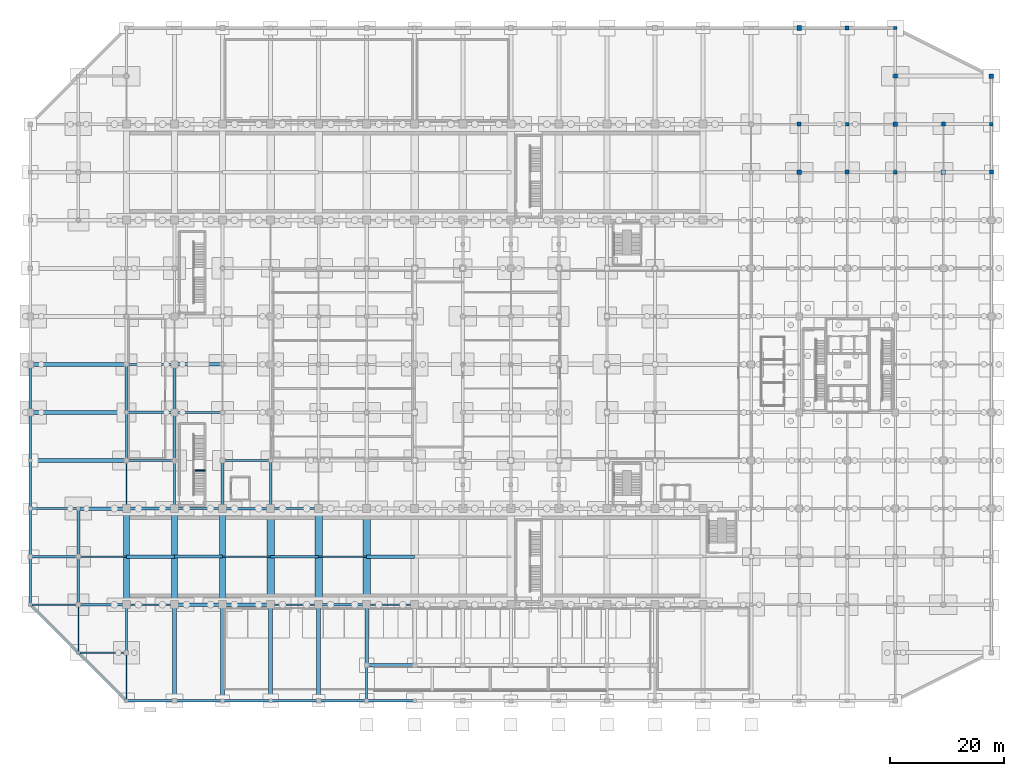
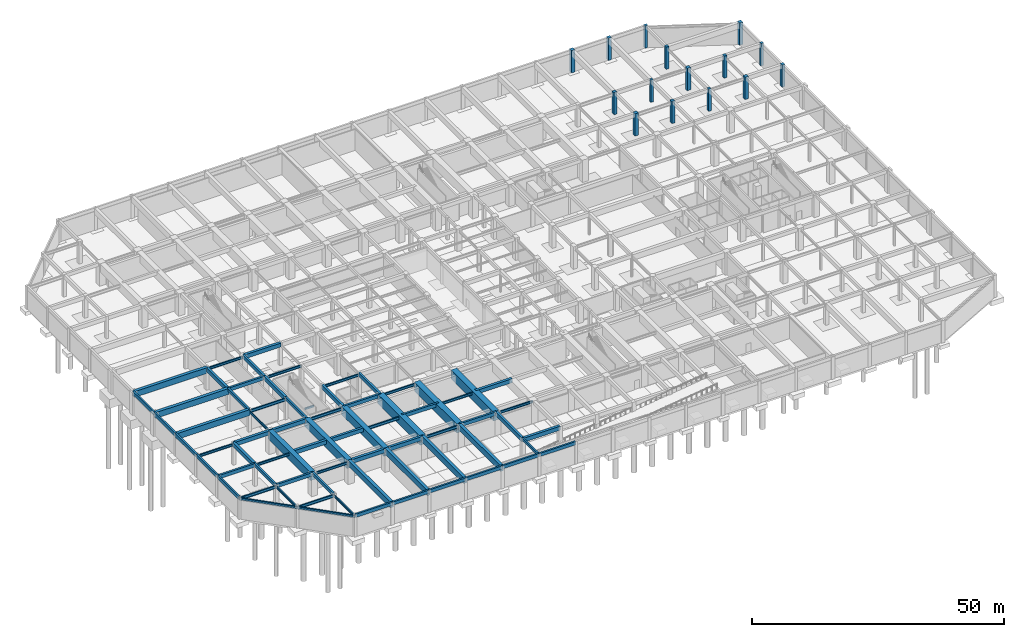
# One storey, part 10 of 26: 72 beams, 15 columns.
"""IFC4 building model written with IfcOpenShell, lengths in metres."""

from ifc_helpers import new_model, si_unit, direction, frame, origin, origin_2d, place, context, subcontext, project, spatial, rectangle, i_section, extrude, material, material_profile, profile_set, type_object, element, save


model = new_model("IFC4")

# Units and contexts
model_context = context("Model", 3, precision=1e-05, world=origin(), true_north=direction((0.0, 1.0)))
body_context = subcontext(model_context, "Body", "Model", "MODEL_VIEW")
ifc_project = project(units=[si_unit("LENGTHUNIT", "METRE"), si_unit("AREAUNIT", "SQUARE_METRE"), si_unit("VOLUMEUNIT", "CUBIC_METRE"), si_unit("PLANEANGLEUNIT", "RADIAN"), si_unit("MASSUNIT", "GRAM", prefix="KILO")], contexts=[model_context])

# Site, building, storey
site_placement = place(None, origin())
site = spatial("IfcSite", under=ifc_project, at=site_placement, CompositionType="ELEMENT")
building_placement = place(site_placement, origin())
building = spatial("IfcBuilding", under=site, at=building_placement, Name="Xuanlan Plaza Opera House", CompositionType="ELEMENT")
storey_placement = place(building_placement, frame((0.0, 0.0, -5.39990234375)))
storey = spatial("IfcBuildingStorey", under=building, at=storey_placement, Name="B01", CompositionType="ELEMENT", Elevation=-5.39990234375)

# Columns
ifc_material_1 = material(Name="Concrete C40", Category="concrete")
ifc_material_profile_1 = material_profile(ifc_material_1, rectangle(XDim=0.800048828125, YDim=0.800048828125, at=origin_2d()), Name="RC-COL 800x800")
ifc_profile_set_1 = profile_set([ifc_material_profile_1], Name="Concrete C40")
column_type_1 = type_object("IfcColumnType", Name="STR-COL-C-06", PredefinedType="COLUMN", material=ifc_profile_set_1)
for number, where, z_axis, x_axis, name in (
    (1, (134.39990234375, 92.39990234375, 0.0), (0.0, 0.0, 1.0), (1.0, 0.0, 0.0), "Column B01 17-L"),
    (2, (134.39990234375, 117.60009765625, 0.0), (0.0, 0.0, 1.0), (1.0, 0.0, 0.0), "Column B01 17-O"),
    (3, (151.199951171875, 100.800048828125, 0.0), (0.0, 0.0, 1.0), (1.0, 0.0, 0.0), "Column B01 19-M"),
    (4, (159.60009765625, 92.39990234375, 0.0), (0.0, 0.0, 1.0), (1.0, 0.0, 0.0), "Column B01 20-L"),
    (5, (168.0, 109.199951171875, 0.0), (0.0, 0.0, 1.0), (1.0, 0.0, 0.0), "Column B01 21-N"),
):
    element("IfcColumn", number, at=place(storey_placement, frame(where, z_axis=z_axis, x_axis=x_axis)), inside=storey, type_object=column_type_1, Name=name, PredefinedType="COLUMN", context=body_context, shape_type="SweptSolid", body=[
        extrude(rectangle(XDim=0.800048828125, YDim=0.800048828125, at=origin_2d()), origin(), (0.0, 0.0, 1.0), 5.39990234375),
    ])
ifc_material_profile_2 = material_profile(ifc_material_1, rectangle(XDim=0.699951171875, YDim=0.699951171875, at=origin_2d()), Name="RC-COL 700x700")
ifc_profile_set_2 = profile_set([ifc_material_profile_2], Name="Concrete C40")
column_type_2 = type_object("IfcColumnType", Name="STR-COL-C-07", PredefinedType="COLUMN", material=ifc_profile_set_2)
for number, where, z_axis, x_axis, name in (
    (6, (134.39990234375, 100.800048828125, 0.0), (0.0, 0.0, 1.0), (1.0, 0.0, 0.0), "Column B01 17-M"),
    (7, (142.800048828125, 92.39990234375, 0.0), (0.0, 0.0, 1.0), (1.0, 0.0, 0.0), "Column B01 18-L"),
    (8, (142.800048828125, 117.60009765625, 0.0), (0.0, 0.0, 1.0), (1.0, 0.0, 0.0), "Column B01 18-O"),
    (9, (151.199951171875, 109.199951171875, 0.0), (0.0, 0.0, 1.0), (1.0, 0.0, 0.0), "Column B01 19-N"),
    (10, (159.60009765625, 100.800048828125, 0.0), (0.0, 0.0, 1.0), (1.0, 0.0, 0.0), "Column B01 20-M"),
    (11, (168.0, 92.39990234375, 0.0), (0.0, 0.0, 1.0), (1.0, 0.0, 0.0), "Column B01 21-L"),
):
    element("IfcColumn", number, at=place(storey_placement, frame(where, z_axis=z_axis, x_axis=x_axis)), inside=storey, type_object=column_type_2, Name=name, PredefinedType="COLUMN", context=body_context, shape_type="SweptSolid", body=[
        extrude(rectangle(XDim=0.699951171875, YDim=0.699951171875, at=origin_2d()), origin(), (0.0, 0.0, 1.0), 5.39990234375),
    ])
ifc_material_profile_3 = material_profile(ifc_material_1, rectangle(XDim=0.60009765625, YDim=0.60009765625, at=origin_2d()), Name="RC-COL 600x600")
ifc_profile_set_3 = profile_set([ifc_material_profile_3], Name="Concrete C40")
column_type_3 = type_object("IfcColumnType", Name="STR-COL-C-08", PredefinedType="COLUMN", material=ifc_profile_set_3)
for number, where, z_axis, x_axis, name in (
    (12, (142.800048828125, 100.800048828125, 0.0), (0.0, 0.0, 1.0), (1.0, 0.0, 0.0), "Column B01 18-M"),
    (13, (151.199951171875, 92.39990234375, 0.0), (0.0, 0.0, 1.0), (1.0, 0.0, 0.0), "Column B01 19-L"),
    (14, (151.199951171875, 117.60009765625, 0.0), (0.0, 0.0, 1.0), (1.0, 0.0, 0.0), "Column B01 19-O"),
    (15, (168.0, 100.800048828125, 0.0), (0.0, 0.0, 1.0), (1.0, 0.0, 0.0), "Column B01 21-M"),
):
    element("IfcColumn", number, at=place(storey_placement, frame(where, z_axis=z_axis, x_axis=x_axis)), inside=storey, type_object=column_type_3, Name=name, PredefinedType="COLUMN", context=body_context, shape_type="SweptSolid", body=[
        extrude(rectangle(XDim=0.60009765625, YDim=0.60009765625, at=origin_2d()), origin(), (0.0, 0.0, 1.0), 5.39990234375),
    ])

# Beams
ifc_material_2 = material(Name="Concrete C50", Category="concrete")
ifc_material_profile_4 = material_profile(ifc_material_2, rectangle(XDim=0.60009765625, YDim=0.949951171875, at=origin_2d()), Name="RC-BM 600x950")
ifc_profile_set_4 = profile_set([ifc_material_profile_4], Name="Concrete C50")
beam_type_1 = type_object("IfcBeamType", Name="STR-BM-B-01", PredefinedType="BEAM", material=ifc_profile_set_4)
beam_1_placement = place(storey_placement, frame((25.199951171875, 16.800048828125, 4.9248046875), z_axis=(1.0, 0.0, 0.0), x_axis=(0.0, 1.0, 0.0)))
element("IfcBeam", 16, at=beam_1_placement, inside=storey, type_object=beam_type_1, Name="Grid Beam X B01 4-5/C", PredefinedType="BEAM", context=body_context, shape_type="SweptSolid", body=[
    extrude(rectangle(XDim=0.60009765625, YDim=0.949951171875, at=origin_2d()), origin(), (0.0, 0.0, 1.0), 8.400146484375),
])
for number, where, z_axis, x_axis, name in (
    (17, (16.800048828125, 25.199951171875, 4.9248046875), (1.0, 0.0, 0.0), (0.0, 1.0, 0.0), "Grid Beam X B01 3-4/D"),
    (18, (58.800048828125, 25.199951171875, 4.9248046875), (1.0, 0.0, 0.0), (0.0, 1.0, 0.0), "Grid Beam X B01 8-9/D"),
):
    element("IfcBeam", number, at=place(storey_placement, frame(where, z_axis=z_axis, x_axis=x_axis)), inside=storey, type_object=beam_type_1, Name=name, PredefinedType="BEAM", context=body_context, shape_type="SweptSolid", body=[
        extrude(rectangle(XDim=0.60009765625, YDim=0.949951171875, at=origin_2d()), origin(), (0.0, 0.0, 1.0), 8.39990234375),
    ])
for number, where, z_axis, x_axis, name in (
    (19, (8.39990234375, 33.60009765625, 4.9248046875), (1.0, 0.0, 0.0), (0.0, 1.0, 0.0), "Grid Beam X B01 2-3/E"),
    (20, (25.199951171875, 58.800048828125, 4.9248046875), (1.0, 0.0, 0.0), (0.0, 1.0, 0.0), "Grid Beam X B01 4-5/H"),
):
    element("IfcBeam", number, at=place(storey_placement, frame(where, z_axis=z_axis, x_axis=x_axis)), inside=storey, type_object=beam_type_1, Name=name, PredefinedType="BEAM", context=body_context, shape_type="SweptSolid", body=[
        extrude(rectangle(XDim=0.60009765625, YDim=0.949951171875, at=origin_2d()), origin(), (0.0, 0.0, 1.0), 8.400146484375),
    ])
beam_2_placement = place(storey_placement, frame((58.800048828125, 6.199951171875, 4.9248046875), z_axis=(1.0, 0.0, 0.0), x_axis=(0.0, 1.0, 0.0)))
element("IfcBeam", 21, at=beam_2_placement, inside=storey, type_object=beam_type_1, Name="Vehicle Ramp Edge Trimmer Beam B01 X58-67", PredefinedType="BEAM", context=body_context, shape_type="SweptSolid", body=[
    extrude(rectangle(XDim=0.60009765625, YDim=0.949951171875, at=origin_2d()), origin(), (0.0, 0.0, 1.0), 8.39990234375),
])
ifc_material_profile_5 = material_profile(ifc_material_2, rectangle(XDim=0.550048828125, YDim=0.949951171875, at=origin_2d()), Name="RC-BM 550x950")
ifc_profile_set_5 = profile_set([ifc_material_profile_5], Name="Concrete C50")
beam_type_2 = type_object("IfcBeamType", Name="STR-BM-B-02", PredefinedType="BEAM", material=ifc_profile_set_5)
beam_3_placement = place(storey_placement, frame((33.60009765625, 16.800048828125, 4.9248046875), z_axis=(1.0, 0.0, 0.0), x_axis=(0.0, 1.0, 0.0)))
element("IfcBeam", 22, at=beam_3_placement, inside=storey, type_object=beam_type_2, Name="Grid Beam X B01 5-6/C", PredefinedType="BEAM", context=body_context, shape_type="SweptSolid", body=[
    extrude(rectangle(XDim=0.550048828125, YDim=0.949951171875, at=origin_2d()), origin(), (0.0, 0.0, 1.0), 8.39990234375),
])
beam_4_placement = place(storey_placement, frame((25.199951171875, 25.199951171875, 4.9248046875), z_axis=(1.0, 0.0, 0.0), x_axis=(0.0, 1.0, 0.0)))
element("IfcBeam", 23, at=beam_4_placement, inside=storey, type_object=beam_type_2, Name="Grid Beam X B01 4-5/D", PredefinedType="BEAM", context=body_context, shape_type="SweptSolid", body=[
    extrude(rectangle(XDim=0.550048828125, YDim=0.949951171875, at=origin_2d()), origin(), (0.0, 0.0, 1.0), 8.400146484375),
])
beam_5_placement = place(storey_placement, frame((16.800048828125, 33.60009765625, 4.9248046875), z_axis=(1.0, 0.0, 0.0), x_axis=(0.0, 1.0, 0.0)))
element("IfcBeam", 24, at=beam_5_placement, inside=storey, type_object=beam_type_2, Name="Grid Beam X B01 3-4/E", PredefinedType="BEAM", context=body_context, shape_type="SweptSolid", body=[
    extrude(rectangle(XDim=0.550048828125, YDim=0.949951171875, at=origin_2d()), origin(), (0.0, 0.0, 1.0), 8.39990234375),
])
for number, where, z_axis, x_axis, name in (
    (25, (8.39990234375, 25.199951171875, 4.9248046875), (0.0, 1.0, 0.0), (-1.0, 0.0, 0.0), "Grid Beam Y B01 2/D-E"),
    (26, (16.800048828125, 50.39990234375, 4.9248046875), (0.0, 1.0, 0.0), (-1.0, 0.0, 0.0), "Grid Beam Y B01 3/G-H"),
):
    element("IfcBeam", number, at=place(storey_placement, frame(where, z_axis=z_axis, x_axis=x_axis)), inside=storey, type_object=beam_type_2, Name=name, PredefinedType="BEAM", context=body_context, shape_type="SweptSolid", body=[
        extrude(rectangle(XDim=0.550048828125, YDim=0.949951171875, at=origin_2d()), origin(), (0.0, 0.0, 1.0), 8.400146484375),
    ])
for number, where, z_axis, x_axis, name in (
    (27, (25.199951171875, 42.0, 4.9248046875), (0.0, 1.0, 0.0), (-1.0, 0.0, 0.0), "Grid Beam Y B01 4/F-G"),
    (28, (33.60009765625, 33.60009765625, 4.9248046875), (0.0, 1.0, 0.0), (-1.0, 0.0, 0.0), "Grid Beam Y B01 5/E-F"),
):
    element("IfcBeam", number, at=place(storey_placement, frame(where, z_axis=z_axis, x_axis=x_axis)), inside=storey, type_object=beam_type_2, Name=name, PredefinedType="BEAM", context=body_context, shape_type="SweptSolid", body=[
        extrude(rectangle(XDim=0.550048828125, YDim=0.949951171875, at=origin_2d()), origin(), (0.0, 0.0, 1.0), 8.39990234375),
    ])
ifc_material_profile_6 = material_profile(ifc_material_1, rectangle(XDim=0.449951171875, YDim=0.85009765625, at=origin_2d()), Name="RC-BM 450x850")
ifc_profile_set_6 = profile_set([ifc_material_profile_6], Name="Concrete C40")
beam_type_3 = type_object("IfcBeamType", Name="STR-BM-B-04", PredefinedType="BEAM", material=ifc_profile_set_6)
for number, where, z_axis, x_axis, name in (
    (29, (8.39990234375, 16.800048828125, 4.974853515625), (1.0, 0.0, 0.0), (0.0, 1.0, 0.0), "Grid Beam X B01 2-3/C"),
    (30, (50.39990234375, 16.800048828125, 4.974853515625), (1.0, 0.0, 0.0), (0.0, 1.0, 0.0), "Grid Beam X B01 7-8/C"),
):
    element("IfcBeam", number, at=place(storey_placement, frame(where, z_axis=z_axis, x_axis=x_axis)), inside=storey, type_object=beam_type_3, Name=name, PredefinedType="BEAM", context=body_context, shape_type="SweptSolid", body=[
        extrude(rectangle(XDim=0.449951171875, YDim=0.85009765625, at=origin_2d()), origin(), (0.0, 0.0, 1.0), 8.400146484375),
    ])
for number, where, z_axis, x_axis, name in (
    (31, (0.0, 25.199951171875, 4.974853515625), (1.0, 0.0, 0.0), (0.0, 1.0, 0.0), "Grid Beam X B01 1-2/D"),
    (32, (42.0, 25.199951171875, 4.974853515625), (1.0, 0.0, 0.0), (0.0, 1.0, 0.0), "Grid Beam X B01 6-7/D"),
    (33, (33.60009765625, 33.60009765625, 4.974853515625), (1.0, 0.0, 0.0), (0.0, 1.0, 0.0), "Grid Beam X B01 5-6/E"),
    (34, (16.800048828125, 50.39990234375, 4.974853515625), (1.0, 0.0, 0.0), (0.0, 1.0, 0.0), "Grid Beam X B01 3-4/G"),
):
    element("IfcBeam", number, at=place(storey_placement, frame(where, z_axis=z_axis, x_axis=x_axis)), inside=storey, type_object=beam_type_3, Name=name, PredefinedType="BEAM", context=body_context, shape_type="SweptSolid", body=[
        extrude(rectangle(XDim=0.449951171875, YDim=0.85009765625, at=origin_2d()), origin(), (0.0, 0.0, 1.0), 8.39990234375),
    ])
beam_6_placement = place(storey_placement, frame((25.199951171875, 50.39990234375, 4.974853515625), z_axis=(0.0, 1.0, 0.0), x_axis=(-1.0, 0.0, 0.0)))
element("IfcBeam", 35, at=beam_6_placement, inside=storey, type_object=beam_type_3, Name="Grid Beam Y B01 4/G-H", PredefinedType="BEAM", context=body_context, shape_type="SweptSolid", body=[
    extrude(rectangle(XDim=0.449951171875, YDim=0.85009765625, at=origin_2d()), origin(), (0.0, 0.0, 1.0), 8.400146484375),
])
beam_7_placement = place(storey_placement, frame((42.0, 33.60009765625, 4.974853515625), z_axis=(0.0, 1.0, 0.0), x_axis=(-1.0, 0.0, 0.0)))
element("IfcBeam", 36, at=beam_7_placement, inside=storey, type_object=beam_type_3, Name="Grid Beam Y B01 6/E-F", PredefinedType="BEAM", context=body_context, shape_type="SweptSolid", body=[
    extrude(rectangle(XDim=0.449951171875, YDim=0.85009765625, at=origin_2d()), origin(), (0.0, 0.0, 1.0), 8.39990234375),
])
ifc_material_profile_7 = material_profile(ifc_material_1, rectangle(XDim=0.39990234375, YDim=0.75, at=origin_2d()), Name="RC-BM 400x750")
ifc_profile_set_7 = profile_set([ifc_material_profile_7], Name="Concrete C40")
beam_type_4 = type_object("IfcBeamType", Name="STR-BM-B-06", PredefinedType="BEAM", material=ifc_profile_set_7)
beam_8_placement = place(storey_placement, frame((8.39990234375, 16.800048828125, 5.02490234375), z_axis=(0.0, 1.0, 0.0), x_axis=(-1.0, 0.0, 0.0)))
element("IfcBeam", 37, at=beam_8_placement, inside=storey, type_object=beam_type_4, Name="Grid Beam Y B01 2/C-D", PredefinedType="BEAM", context=body_context, shape_type="SweptSolid", body=[
    extrude(rectangle(XDim=0.39990234375, YDim=0.75, at=origin_2d()), origin(), (0.0, 0.0, 1.0), 8.39990234375),
])
beam_9_placement = place(storey_placement, frame((16.800048828125, 8.39990234375, 5.02490234375), z_axis=(0.0, 1.0, 0.0), x_axis=(-1.0, 0.0, 0.0)))
element("IfcBeam", 38, at=beam_9_placement, inside=storey, type_object=beam_type_4, Name="Grid Beam Y B01 3/B-C", PredefinedType="BEAM", context=body_context, shape_type="SweptSolid", body=[
    extrude(rectangle(XDim=0.39990234375, YDim=0.75, at=origin_2d()), origin(), (0.0, 0.0, 1.0), 8.400146484375),
])
for number, where, z_axis, x_axis, name in (
    (39, (16.800048828125, 42.0, 5.02490234375), (0.0, 1.0, 0.0), (-1.0, 0.0, 0.0), "Grid Beam Y B01 3/F-G"),
    (40, (25.199951171875, 33.60009765625, 5.02490234375), (0.0, 1.0, 0.0), (-1.0, 0.0, 0.0), "Grid Beam Y B01 4/E-F"),
):
    element("IfcBeam", number, at=place(storey_placement, frame(where, z_axis=z_axis, x_axis=x_axis)), inside=storey, type_object=beam_type_4, Name=name, PredefinedType="BEAM", context=body_context, shape_type="SweptSolid", body=[
        extrude(rectangle(XDim=0.39990234375, YDim=0.75, at=origin_2d()), origin(), (0.0, 0.0, 1.0), 8.39990234375),
    ])
ifc_material_profile_8 = material_profile(ifc_material_1, rectangle(XDim=0.35009765625, YDim=0.60009765625, at=origin_2d()), Name="RC-BM 350x600")
ifc_profile_set_8 = profile_set([ifc_material_profile_8], Name="Concrete C40")
beam_type_5 = type_object("IfcBeamType", Name="STR-BM-B-10", PredefinedType="BEAM", material=ifc_profile_set_8)
beam_10_placement = place(storey_placement, frame((58.800048828125, 0.0, 5.099853515625), z_axis=(0.0, 1.0, 0.0), x_axis=(-1.0, 0.0, 0.0)))
element("IfcBeam", 41, at=beam_10_placement, inside=storey, type_object=beam_type_5, Name="Sub-Bay Beam Y B01 8/A-RMP", PredefinedType="BEAM", context=body_context, shape_type="SweptSolid", body=[
    extrude(rectangle(XDim=0.35009765625, YDim=0.60009765625, at=origin_2d()), origin(), (0.0, 0.0, 1.0), 6.199951171875),
])
ifc_material_profile_9 = material_profile(ifc_material_2, rectangle(XDim=0.699951171875, YDim=1.39990234375, at=origin_2d()), Name="RC-LG 700x1400")
ifc_profile_set_9 = profile_set([ifc_material_profile_9], Name="Concrete C50")
beam_type_6 = type_object("IfcBeamType", Name="STR-BM-LG-01", PredefinedType="BEAM", material=ifc_profile_set_9)
for number, where, z_axis, x_axis, name in (
    (42, (0.0, 42.0, 4.699951171875), (1.0, 0.0, 0.0), (0.0, 1.0, 0.0), "Grid Beam X B01 1-3/F"),
    (43, (0.0, 50.39990234375, 4.699951171875), (1.0, 0.0, 0.0), (0.0, 1.0, 0.0), "Grid Beam X B01 1-3/G"),
    (44, (0.0, 58.800048828125, 4.699951171875), (1.0, 0.0, 0.0), (0.0, 1.0, 0.0), "Grid Beam X B01 1-3/H"),
    (45, (25.199951171875, 0.0, 4.699951171875), (0.0, 1.0, 0.0), (-1.0, 0.0, 0.0), "Grid Beam Y B01 4/A-C"),
    (46, (33.60009765625, 0.0, 4.699951171875), (0.0, 1.0, 0.0), (-1.0, 0.0, 0.0), "Grid Beam Y B01 5/A-C"),
    (47, (42.0, 0.0, 4.699951171875), (0.0, 1.0, 0.0), (-1.0, 0.0, 0.0), "Grid Beam Y B01 6/A-C"),
    (48, (50.39990234375, 0.0, 4.699951171875), (0.0, 1.0, 0.0), (-1.0, 0.0, 0.0), "Grid Beam Y B01 7/A-C"),
):
    element("IfcBeam", number, at=place(storey_placement, frame(where, z_axis=z_axis, x_axis=x_axis)), inside=storey, type_object=beam_type_6, Name=name, PredefinedType="BEAM", context=body_context, shape_type="SweptSolid", body=[
        extrude(rectangle(XDim=0.699951171875, YDim=1.39990234375, at=origin_2d()), origin(), (0.0, 0.0, 1.0), 16.800048828125),
    ])
ifc_material_profile_10 = material_profile(ifc_material_1, rectangle(XDim=0.300048828125, YDim=0.39990234375, at=origin_2d()), Name="RC-LNT 300x400")
ifc_profile_set_10 = profile_set([ifc_material_profile_10], Name="Concrete C40")
beam_type_7 = type_object("IfcBeamType", Name="STR-BM-LN-01", PredefinedType="LINTEL", material=ifc_profile_set_10)
beam_11_placement = place(storey_placement, frame((28.5, 40.27490234375, 2.2998046875), z_axis=(1.0, 0.0, 0.0), x_axis=(0.0, 1.0, 0.0)))
element("IfcBeam", 49, at=beam_11_placement, inside=storey, type_object=beam_type_7, Name="Stair Mid-Landing Trimmer Beam ST-P1 B01", PredefinedType="LINTEL", context=body_context, shape_type="SweptSolid", body=[
    extrude(rectangle(XDim=0.300048828125, YDim=0.39990234375, at=origin_2d()), origin(), (0.0, 0.0, 1.0), 2.050048828125),
])
ifc_material_profile_11 = material_profile(ifc_material_2, rectangle(XDim=0.550048828125, YDim=0.949951171875, at=origin_2d()), Name="RC-BM 550x950")
ifc_profile_set_11 = profile_set([ifc_material_profile_11], Name="Concrete C50")
beam_type_8 = type_object("IfcBeamType", Name="STR-BM-RG-01", PredefinedType="BEAM", material=ifc_profile_set_11)
beam_12_placement = place(storey_placement, frame((58.800048828125, 6.199951171875, 4.9248046875), z_axis=(0.0, 1.0, 0.0), x_axis=(-1.0, 0.0, 0.0)))
element("IfcBeam", 50, at=beam_12_placement, inside=storey, type_object=beam_type_8, Name="Vehicle Ramp Bay Beam Y B01 8/RMP-C", PredefinedType="BEAM", context=body_context, shape_type="SweptSolid", body=[
    extrude(rectangle(XDim=0.550048828125, YDim=0.949951171875, at=origin_2d()), origin(), (0.0, 0.0, 1.0), 10.60009765625),
])
ifc_material_3 = material(Name="Steel Q355B", Category="steel")
ifc_material_profile_12 = material_profile(ifc_material_3, i_section(OverallWidth=0.300048828125, OverallDepth=0.699951171875, WebThickness=0.012939453125, FlangeThickness=0.02392578125, FilletRadius=0.02392578125, at=origin_2d()), Name="HN 700x300x13x24")
ifc_profile_set_12 = profile_set([ifc_material_profile_12], Name="Steel Q355B")
beam_type_9 = type_object("IfcBeamType", Name="STR-BM-SB-03", PredefinedType="BEAM", material=ifc_profile_set_12)
beam_13_placement = place(storey_placement, frame((8.39990234375, 8.39990234375, 4.744873046875), z_axis=(1.0, 0.0, 0.0), x_axis=(0.0, 1.0, 0.0)))
element("IfcBeam", 51, at=beam_13_placement, inside=storey, type_object=beam_type_9, Name="Grid Beam X B01 2-3/B", PredefinedType="BEAM", context=body_context, shape_type="SweptSolid", body=[
    extrude(i_section(OverallWidth=0.300048828125, OverallDepth=0.699951171875, WebThickness=0.012939453125, FlangeThickness=0.02392578125, FilletRadius=0.02392578125, at=origin_2d()), origin(), (0.0, 0.0, 1.0), 8.400146484375),
])
for number, where, z_axis, x_axis, name in (
    (52, (0.0, 16.800048828125, 4.744873046875), (1.0, 0.0, 0.0), (0.0, 1.0, 0.0), "Grid Beam X B01 1-2/C"),
    (53, (42.0, 16.800048828125, 4.744873046875), (1.0, 0.0, 0.0), (0.0, 1.0, 0.0), "Grid Beam X B01 6-7/C"),
    (54, (33.60009765625, 25.199951171875, 4.744873046875), (1.0, 0.0, 0.0), (0.0, 1.0, 0.0), "Grid Beam X B01 5-6/D"),
):
    element("IfcBeam", number, at=place(storey_placement, frame(where, z_axis=z_axis, x_axis=x_axis)), inside=storey, type_object=beam_type_9, Name=name, PredefinedType="BEAM", context=body_context, shape_type="SweptSolid", body=[
        extrude(i_section(OverallWidth=0.300048828125, OverallDepth=0.699951171875, WebThickness=0.012939453125, FlangeThickness=0.02392578125, FilletRadius=0.02392578125, at=origin_2d()), origin(), (0.0, 0.0, 1.0), 8.39990234375),
    ])
beam_14_placement = place(storey_placement, frame((25.199951171875, 33.60009765625, 4.744873046875), z_axis=(1.0, 0.0, 0.0), x_axis=(0.0, 1.0, 0.0)))
element("IfcBeam", 55, at=beam_14_placement, inside=storey, type_object=beam_type_9, Name="Grid Beam X B01 4-5/E", PredefinedType="BEAM", context=body_context, shape_type="SweptSolid", body=[
    extrude(i_section(OverallWidth=0.300048828125, OverallDepth=0.699951171875, WebThickness=0.012939453125, FlangeThickness=0.02392578125, FilletRadius=0.02392578125, at=origin_2d()), origin(), (0.0, 0.0, 1.0), 8.400146484375),
])
beam_15_placement = place(storey_placement, frame((16.800048828125, 42.0, 4.744873046875), z_axis=(1.0, 0.0, 0.0), x_axis=(0.0, 1.0, 0.0)))
element("IfcBeam", 56, at=beam_15_placement, inside=storey, type_object=beam_type_9, Name="Grid Beam X B01 3-4/F", PredefinedType="BEAM", context=body_context, shape_type="SweptSolid", body=[
    extrude(i_section(OverallWidth=0.300048828125, OverallDepth=0.699951171875, WebThickness=0.012939453125, FlangeThickness=0.02392578125, FilletRadius=0.02392578125, at=origin_2d()), origin(), (0.0, 0.0, 1.0), 8.39990234375),
])
ifc_material_profile_13 = material_profile(ifc_material_3, i_section(OverallWidth=0.199951171875, OverallDepth=0.60009765625, WebThickness=0.010986328125, FlangeThickness=0.01708984375, FilletRadius=0.02197265625, at=origin_2d()), Name="HN 600x200x11x17")
ifc_profile_set_13 = profile_set([ifc_material_profile_13], Name="Steel Q355B")
beam_type_10 = type_object("IfcBeamType", Name="STR-BM-SB-04", PredefinedType="BEAM", material=ifc_profile_set_13)
beam_16_placement = place(storey_placement, frame((8.39990234375, 8.39990234375, 4.794921875), z_axis=(0.0, 1.0, 0.0), x_axis=(-1.0, 0.0, 0.0)))
element("IfcBeam", 57, at=beam_16_placement, inside=storey, type_object=beam_type_10, Name="Grid Beam Y B01 2/B-C", PredefinedType="BEAM", context=body_context, shape_type="SweptSolid", body=[
    extrude(i_section(OverallWidth=0.199951171875, OverallDepth=0.60009765625, WebThickness=0.010986328125, FlangeThickness=0.01708984375, FilletRadius=0.02197265625, at=origin_2d()), origin(), (0.0, 0.0, 1.0), 8.400146484375),
])
for number, where, z_axis, x_axis, name in (
    (58, (16.800048828125, 0.0, 4.794921875), (0.0, 1.0, 0.0), (-1.0, 0.0, 0.0), "Grid Beam Y B01 3/A-B"),
    (59, (16.800048828125, 33.60009765625, 4.794921875), (0.0, 1.0, 0.0), (-1.0, 0.0, 0.0), "Grid Beam Y B01 3/E-F"),
):
    element("IfcBeam", number, at=place(storey_placement, frame(where, z_axis=z_axis, x_axis=x_axis)), inside=storey, type_object=beam_type_10, Name=name, PredefinedType="BEAM", context=body_context, shape_type="SweptSolid", body=[
        extrude(i_section(OverallWidth=0.199951171875, OverallDepth=0.60009765625, WebThickness=0.010986328125, FlangeThickness=0.01708984375, FilletRadius=0.02197265625, at=origin_2d()), origin(), (0.0, 0.0, 1.0), 8.39990234375),
    ])
ifc_material_profile_14 = material_profile(ifc_material_3, i_section(OverallWidth=0.300048828125, OverallDepth=0.587890625, WebThickness=0.011962890625, FlangeThickness=0.02001953125, FilletRadius=0.02392578125, at=origin_2d()), Name="HM 588x300x12x20")
ifc_profile_set_14 = profile_set([ifc_material_profile_14], Name="Steel Q355B")
beam_type_11 = type_object("IfcBeamType", Name="STR-BM-SB-06", PredefinedType="BEAM", material=ifc_profile_set_14)
for number, where, z_axis, x_axis, name in (
    (60, (16.800048828125, 16.800048828125, 4.80078125), (1.0, 0.0, 0.0), (0.0, 1.0, 0.0), "Grid Beam X B01 3-4/C"),
    (61, (58.800048828125, 16.800048828125, 4.80078125), (1.0, 0.0, 0.0), (0.0, 1.0, 0.0), "Grid Beam X B01 8-9/C"),
):
    element("IfcBeam", number, at=place(storey_placement, frame(where, z_axis=z_axis, x_axis=x_axis)), inside=storey, type_object=beam_type_11, Name=name, PredefinedType="BEAM", context=body_context, shape_type="SweptSolid", body=[
        extrude(i_section(OverallWidth=0.300048828125, OverallDepth=0.587890625, WebThickness=0.011962890625, FlangeThickness=0.02001953125, FilletRadius=0.02392578125, at=origin_2d()), origin(), (0.0, 0.0, 1.0), 8.39990234375),
    ])
for number, where, z_axis, x_axis, name in (
    (62, (8.39990234375, 25.199951171875, 4.80078125), (1.0, 0.0, 0.0), (0.0, 1.0, 0.0), "Grid Beam X B01 2-3/D"),
    (63, (50.39990234375, 25.199951171875, 4.80078125), (1.0, 0.0, 0.0), (0.0, 1.0, 0.0), "Grid Beam X B01 7-8/D"),
):
    element("IfcBeam", number, at=place(storey_placement, frame(where, z_axis=z_axis, x_axis=x_axis)), inside=storey, type_object=beam_type_11, Name=name, PredefinedType="BEAM", context=body_context, shape_type="SweptSolid", body=[
        extrude(i_section(OverallWidth=0.300048828125, OverallDepth=0.587890625, WebThickness=0.011962890625, FlangeThickness=0.02001953125, FilletRadius=0.02392578125, at=origin_2d()), origin(), (0.0, 0.0, 1.0), 8.400146484375),
    ])
for number, where, z_axis, x_axis, name in (
    (64, (0.0, 33.60009765625, 4.80078125), (1.0, 0.0, 0.0), (0.0, 1.0, 0.0), "Grid Beam X B01 1-2/E"),
    (65, (42.0, 33.60009765625, 4.80078125), (1.0, 0.0, 0.0), (0.0, 1.0, 0.0), "Grid Beam X B01 6-7/E"),
    (66, (33.60009765625, 42.0, 4.80078125), (1.0, 0.0, 0.0), (0.0, 1.0, 0.0), "Grid Beam X B01 5-6/F"),
):
    element("IfcBeam", number, at=place(storey_placement, frame(where, z_axis=z_axis, x_axis=x_axis)), inside=storey, type_object=beam_type_11, Name=name, PredefinedType="BEAM", context=body_context, shape_type="SweptSolid", body=[
        extrude(i_section(OverallWidth=0.300048828125, OverallDepth=0.587890625, WebThickness=0.011962890625, FlangeThickness=0.02001953125, FilletRadius=0.02392578125, at=origin_2d()), origin(), (0.0, 0.0, 1.0), 8.39990234375),
    ])
beam_17_placement = place(storey_placement, frame((25.199951171875, 50.39990234375, 4.80078125), z_axis=(1.0, 0.0, 0.0), x_axis=(0.0, 1.0, 0.0)))
element("IfcBeam", 67, at=beam_17_placement, inside=storey, type_object=beam_type_11, Name="Grid Beam X B01 4-5/G", PredefinedType="BEAM", context=body_context, shape_type="SweptSolid", body=[
    extrude(i_section(OverallWidth=0.300048828125, OverallDepth=0.587890625, WebThickness=0.011962890625, FlangeThickness=0.02001953125, FilletRadius=0.02392578125, at=origin_2d()), origin(), (0.0, 0.0, 1.0), 8.400146484375),
])
beam_18_placement = place(storey_placement, frame((16.800048828125, 58.800048828125, 4.80078125), z_axis=(1.0, 0.0, 0.0), x_axis=(0.0, 1.0, 0.0)))
element("IfcBeam", 68, at=beam_18_placement, inside=storey, type_object=beam_type_11, Name="Grid Beam X B01 3-4/H", PredefinedType="BEAM", context=body_context, shape_type="SweptSolid", body=[
    extrude(i_section(OverallWidth=0.300048828125, OverallDepth=0.587890625, WebThickness=0.011962890625, FlangeThickness=0.02001953125, FilletRadius=0.02392578125, at=origin_2d()), origin(), (0.0, 0.0, 1.0), 8.39990234375),
])
ifc_material_profile_15 = material_profile(ifc_material_1, rectangle(XDim=0.39990234375, YDim=0.800048828125, at=origin_2d()), Name="RC-SPD 400x800")
ifc_profile_set_15 = profile_set([ifc_material_profile_15], Name="Concrete C40")
beam_type_12 = type_object("IfcBeamType", Name="STR-BM-SP-01", PredefinedType="SPANDREL", material=ifc_profile_set_15)
beam_19_placement = place(storey_placement, frame((16.800048828125, 0.0, 5.0), z_axis=(1.0, 0.0, 0.0), x_axis=(0.0, 1.0, 0.0)))
element("IfcBeam", 69, at=beam_19_placement, inside=storey, type_object=beam_type_12, Name="Grid Beam X B01 3-4/A", PredefinedType="SPANDREL", context=body_context, shape_type="SweptSolid", body=[
    extrude(rectangle(XDim=0.39990234375, YDim=0.800048828125, at=origin_2d()), origin(), (0.0, 0.0, 1.0), 8.39990234375),
])
beam_20_placement = place(storey_placement, frame((25.199951171875, 0.0, 5.0), z_axis=(1.0, 0.0, 0.0), x_axis=(0.0, 1.0, 0.0)))
element("IfcBeam", 70, at=beam_20_placement, inside=storey, type_object=beam_type_12, Name="Grid Beam X B01 4-5/A", PredefinedType="SPANDREL", context=body_context, shape_type="SweptSolid", body=[
    extrude(rectangle(XDim=0.39990234375, YDim=0.800048828125, at=origin_2d()), origin(), (0.0, 0.0, 1.0), 8.400146484375),
])
for number, where, z_axis, x_axis, name in (
    (71, (33.60009765625, 0.0, 5.0), (1.0, 0.0, 0.0), (0.0, 1.0, 0.0), "Grid Beam X B01 5-6/A"),
    (72, (42.0, 0.0, 5.0), (1.0, 0.0, 0.0), (0.0, 1.0, 0.0), "Grid Beam X B01 6-7/A"),
):
    element("IfcBeam", number, at=place(storey_placement, frame(where, z_axis=z_axis, x_axis=x_axis)), inside=storey, type_object=beam_type_12, Name=name, PredefinedType="SPANDREL", context=body_context, shape_type="SweptSolid", body=[
        extrude(rectangle(XDim=0.39990234375, YDim=0.800048828125, at=origin_2d()), origin(), (0.0, 0.0, 1.0), 8.39990234375),
    ])
beam_21_placement = place(storey_placement, frame((50.39990234375, 0.0, 5.0), z_axis=(1.0, 0.0, 0.0), x_axis=(0.0, 1.0, 0.0)))
element("IfcBeam", 73, at=beam_21_placement, inside=storey, type_object=beam_type_12, Name="Grid Beam X B01 7-8/A", PredefinedType="SPANDREL", context=body_context, shape_type="SweptSolid", body=[
    extrude(rectangle(XDim=0.39990234375, YDim=0.800048828125, at=origin_2d()), origin(), (0.0, 0.0, 1.0), 8.400146484375),
])
for number, where, z_axis, x_axis, name in (
    (74, (58.800048828125, 0.0, 5.0), (1.0, 0.0, 0.0), (0.0, 1.0, 0.0), "Grid Beam X B01 8-9/A"),
    (75, (0.0, 16.800048828125, 5.0), (0.0, 1.0, 0.0), (-1.0, 0.0, 0.0), "Grid Beam Y B01 1/C-D"),
):
    element("IfcBeam", number, at=place(storey_placement, frame(where, z_axis=z_axis, x_axis=x_axis)), inside=storey, type_object=beam_type_12, Name=name, PredefinedType="SPANDREL", context=body_context, shape_type="SweptSolid", body=[
        extrude(rectangle(XDim=0.39990234375, YDim=0.800048828125, at=origin_2d()), origin(), (0.0, 0.0, 1.0), 8.39990234375),
    ])
beam_22_placement = place(storey_placement, frame((0.0, 25.199951171875, 5.0), z_axis=(0.0, 1.0, 0.0), x_axis=(-1.0, 0.0, 0.0)))
element("IfcBeam", 76, at=beam_22_placement, inside=storey, type_object=beam_type_12, Name="Grid Beam Y B01 1/D-E", PredefinedType="SPANDREL", context=body_context, shape_type="SweptSolid", body=[
    extrude(rectangle(XDim=0.39990234375, YDim=0.800048828125, at=origin_2d()), origin(), (0.0, 0.0, 1.0), 8.400146484375),
])
for number, where, z_axis, x_axis, name in (
    (77, (0.0, 33.60009765625, 5.0), (0.0, 1.0, 0.0), (-1.0, 0.0, 0.0), "Grid Beam Y B01 1/E-F"),
    (78, (0.0, 42.0, 5.0), (0.0, 1.0, 0.0), (-1.0, 0.0, 0.0), "Grid Beam Y B01 1/F-G"),
):
    element("IfcBeam", number, at=place(storey_placement, frame(where, z_axis=z_axis, x_axis=x_axis)), inside=storey, type_object=beam_type_12, Name=name, PredefinedType="SPANDREL", context=body_context, shape_type="SweptSolid", body=[
        extrude(rectangle(XDim=0.39990234375, YDim=0.800048828125, at=origin_2d()), origin(), (0.0, 0.0, 1.0), 8.39990234375),
    ])
beam_23_placement = place(storey_placement, frame((0.0, 50.39990234375, 5.0), z_axis=(0.0, 1.0, 0.0), x_axis=(-1.0, 0.0, 0.0)))
element("IfcBeam", 79, at=beam_23_placement, inside=storey, type_object=beam_type_12, Name="Grid Beam Y B01 1/G-H", PredefinedType="SPANDREL", context=body_context, shape_type="SweptSolid", body=[
    extrude(rectangle(XDim=0.39990234375, YDim=0.800048828125, at=origin_2d()), origin(), (0.0, 0.0, 1.0), 8.400146484375),
])
ifc_material_profile_16 = material_profile(ifc_material_3, i_section(OverallWidth=0.300048828125, OverallDepth=0.587890625, WebThickness=0.011962890625, FlangeThickness=0.02001953125, FilletRadius=0.02392578125, at=origin_2d()), Name="HM 588x300x12x20")
ifc_profile_set_16 = profile_set([ifc_material_profile_16], Name="Steel Q355B")
beam_type_13 = type_object("IfcBeamType", Name="STR-BM-SP-03", PredefinedType="SPANDREL", material=ifc_profile_set_16)
for number, where, z_axis, x_axis, name in (
    (80, (16.800048828125, 0.0, 4.80078125), (-0.707117056885, 0.707096505339, 0.0), (-0.707096505339, -0.707117056885, 0.0), "Faceted Edge Spandrel B01 CH03A"),
    (81, (8.39990234375, 8.39990234375, 4.80078125), (-0.707096505339, 0.707117056885, 0.0), (-0.707117056885, -0.707096505339, 0.0), "Faceted Edge Spandrel B01 CH03B"),
):
    element("IfcBeam", number, at=place(storey_placement, frame(where, z_axis=z_axis, x_axis=x_axis)), inside=storey, type_object=beam_type_13, Name=name, PredefinedType="SPANDREL", context=body_context, shape_type="SweptSolid", body=[
        extrude(i_section(OverallWidth=0.300048828125, OverallDepth=0.587890625, WebThickness=0.011962890625, FlangeThickness=0.02001953125, FilletRadius=0.02392578125, at=origin_2d()), origin(), (0.0, 0.0, 1.0), 11.87939453125),
    ])
ifc_material_4 = material(Name="Concrete C60", Category="concrete")
ifc_material_profile_17 = material_profile(ifc_material_4, rectangle(XDim=1.300048828125, YDim=2.199951171875, at=origin_2d()), Name="RC-TG 1300x2200")
ifc_profile_set_17 = profile_set([ifc_material_profile_17], Name="Concrete C60")
beam_type_14 = type_object("IfcBeamType", Name="STR-BM-TG-01", PredefinedType="BEAM", material=ifc_profile_set_17)
for number, where, z_axis, x_axis, name in (
    (82, (42.0, 16.800048828125, 4.2998046875), (0.0, 1.0, 0.0), (-1.0, 0.0, 0.0), "Metro Transfer Girder TG-S05"),
    (83, (50.39990234375, 16.800048828125, 4.2998046875), (0.0, 1.0, 0.0), (-1.0, 0.0, 0.0), "Metro Transfer Girder TG-S06"),
    (84, (58.800048828125, 16.800048828125, 4.2998046875), (0.0, 1.0, 0.0), (-1.0, 0.0, 0.0), "Metro Transfer Girder TG-S07"),
):
    element("IfcBeam", number, at=place(storey_placement, frame(where, z_axis=z_axis, x_axis=x_axis)), inside=storey, type_object=beam_type_14, Name=name, PredefinedType="BEAM", context=body_context, shape_type="SweptSolid", body=[
        extrude(rectangle(XDim=1.300048828125, YDim=2.199951171875, at=origin_2d()), origin(), (0.0, 0.0, 1.0), 16.800048828125),
    ])
ifc_material_profile_18 = material_profile(ifc_material_2, rectangle(XDim=1.10009765625, YDim=2.0, at=origin_2d()), Name="RC-TG 1100x2000")
ifc_profile_set_18 = profile_set([ifc_material_profile_18], Name="Concrete C50")
beam_type_15 = type_object("IfcBeamType", Name="STR-BM-TG-02", PredefinedType="BEAM", material=ifc_profile_set_18)
for number, where, z_axis, x_axis, name in (
    (85, (16.800048828125, 16.800048828125, 4.39990234375), (0.0, 1.0, 0.0), (-1.0, 0.0, 0.0), "Metro Transfer Girder TG-S02"),
    (86, (25.199951171875, 16.800048828125, 4.39990234375), (0.0, 1.0, 0.0), (-1.0, 0.0, 0.0), "Metro Transfer Girder TG-S03"),
    (87, (33.60009765625, 16.800048828125, 4.39990234375), (0.0, 1.0, 0.0), (-1.0, 0.0, 0.0), "Metro Transfer Girder TG-S04"),
):
    element("IfcBeam", number, at=place(storey_placement, frame(where, z_axis=z_axis, x_axis=x_axis)), inside=storey, type_object=beam_type_15, Name=name, PredefinedType="BEAM", context=body_context, shape_type="SweptSolid", body=[
        extrude(rectangle(XDim=1.10009765625, YDim=2.0, at=origin_2d()), origin(), (0.0, 0.0, 1.0), 16.800048828125),
    ])

save(model, "model.ifc")
